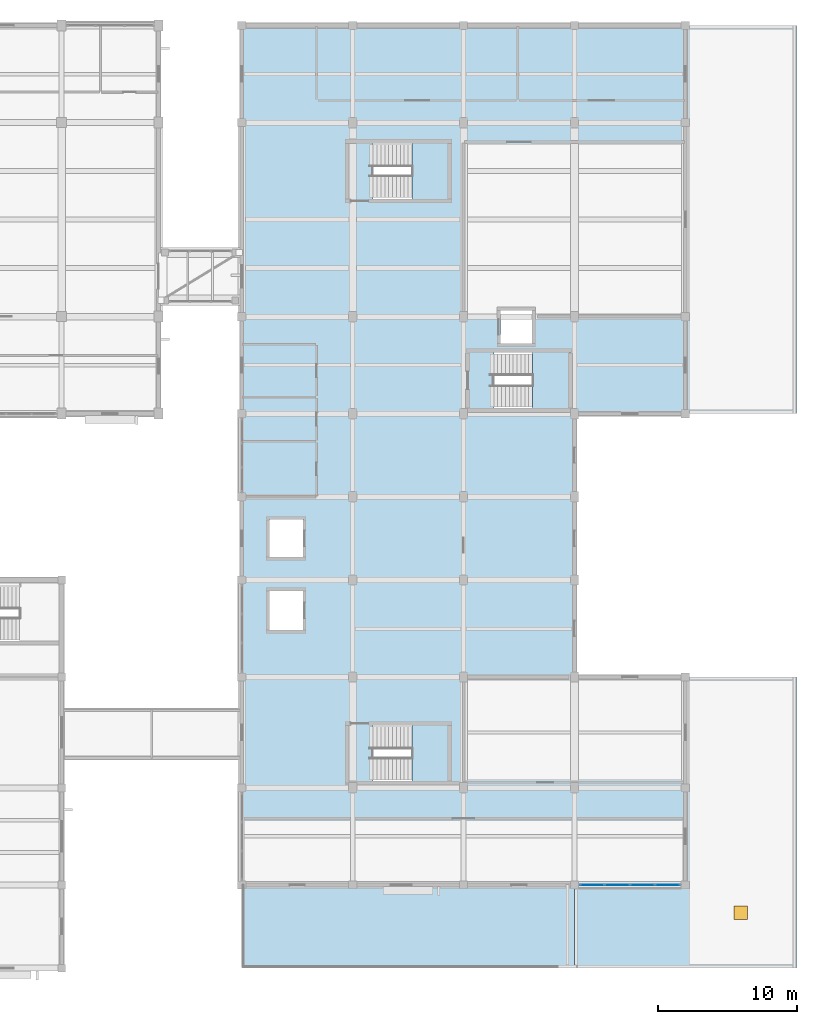
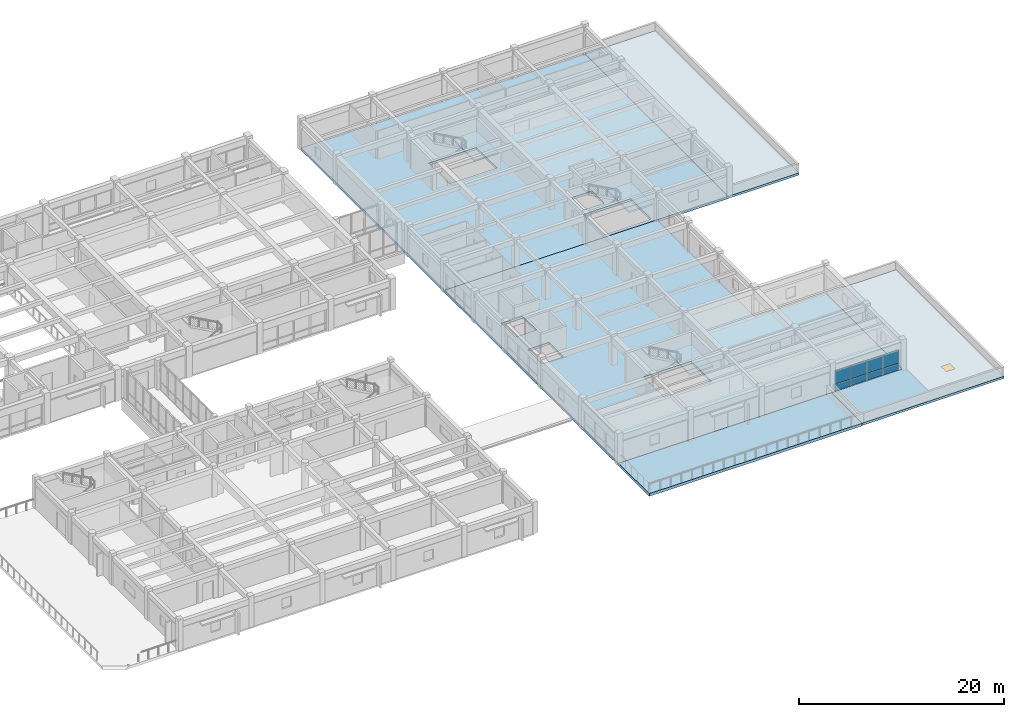
# One storey, part 22 of 42: 8 plates, 8 slabs, 1 door, 1 opening, 4 elements without a shape of their own.
"""IFC4 building model written with IfcOpenShell, lengths in metres."""

from ifc_helpers import new_model, si_unit, direction, frame, origin, origin_2d, place, context, subcontext, project, spatial, polyline, rectangle, outline, extrude, material, layer, layer_set, type_object, element, fill, aggregate, save


model = new_model("IFC4")

# Units and contexts
model_context = context("Model", 3, precision=1e-05, world=origin(), true_north=direction((0.0, 1.0)))
body_context = subcontext(model_context, "Body", "Model", "MODEL_VIEW")
ifc_project = project(units=[si_unit("LENGTHUNIT", "METRE"), si_unit("AREAUNIT", "SQUARE_METRE"), si_unit("VOLUMEUNIT", "CUBIC_METRE"), si_unit("PLANEANGLEUNIT", "RADIAN"), si_unit("MASSUNIT", "GRAM", prefix="KILO")], contexts=[model_context])

# Site, building, storey
site_placement = place(None, origin())
site = spatial("IfcSite", under=ifc_project, at=site_placement, CompositionType="ELEMENT")
building_placement = place(site_placement, origin())
building = spatial("IfcBuilding", under=site, at=building_placement, Name="Naurynzar Civic Courthouse", CompositionType="ELEMENT")
storey_placement = place(building_placement, frame((0.0, 0.0, 18.300048828125)))
storey = spatial("IfcBuildingStorey", under=building, at=storey_placement, Name="L05", CompositionType="ELEMENT", Elevation=18.300048828125)

# Curtain wall, plates
ifc_material_1 = material(Name="Aluminium 6063-T6", Category="aluminium")
ifc_layer_1 = layer(ifc_material_1, 0.159912109375)
ifc_layer_set_1 = layer_set([ifc_layer_1], Name="CW-UNIT-1800")
curtain_wall_type = type_object("IfcCurtainWallType", Name="CW-UNIT-1800", PredefinedType="NOTDEFINED", material=ifc_layer_set_1)
curtain_wall_placement = place(storey_placement, origin())
curtain_wall = element("IfcCurtainWall", 1, at=curtain_wall_placement, inside=storey, type_object=curtain_wall_type, Name="V5 unitised curtain wall 105 L05", PredefinedType="NOTDEFINED")
ifc_material_2 = material(Name="Tempered Laminated Low-E Glass", Category="glass")
ifc_layer_2 = layer(ifc_material_2, 0.035888671875)
ifc_layer_set_2 = layer_set([ifc_layer_2], Name="CWP-IGU-36")
plate_type = type_object("IfcPlateType", Name="CWP-IGU-36", PredefinedType="CURTAIN_PANEL", material=ifc_layer_set_2)
plate_1_placement = place(storey_placement, frame((160.719970703125, 10.0, 0.06982421875), z_axis=(0.0, 0.0, 1.0), x_axis=(-1.0, 0.0, 0.0)))
plate_1 = element("IfcPlate", 2, at=plate_1_placement, type_object=plate_type, Name="CW-02 panel 1.1", PredefinedType="CURTAIN_PANEL", context=body_context, shape_type="SweptSolid", body=[
    extrude(rectangle(XDim=1.719970703125, YDim=0.035888671875, at=origin_2d()), origin(), (0.0, 0.0, 1.0), 0.7451171875),
])
plate_2_placement = place(storey_placement, frame((160.719970703125, 10.0, 0.884765625), z_axis=(0.0, 0.0, 1.0), x_axis=(-1.0, 0.0, 0.0)))
plate_2 = element("IfcPlate", 3, at=plate_2_placement, type_object=plate_type, Name="CW-02 panel 1.2", PredefinedType="CURTAIN_PANEL", context=body_context, shape_type="SweptSolid", body=[
    extrude(rectangle(XDim=1.719970703125, YDim=0.035888671875, at=origin_2d()), origin(), (0.0, 0.0, 1.0), 1.594970703125),
])
plate_3_placement = place(storey_placement, frame((158.91259765625, 10.0, 0.06982421875), z_axis=(0.0, 0.0, 1.0), x_axis=(-1.0, 0.0, 0.0)))
plate_3 = element("IfcPlate", 4, at=plate_3_placement, type_object=plate_type, Name="CW-02 panel 2.1", PredefinedType="CURTAIN_PANEL", context=body_context, shape_type="SweptSolid", body=[
    extrude(rectangle(XDim=1.7548828125, YDim=0.035888671875, at=origin_2d()), origin(), (0.0, 0.0, 1.0), 0.7451171875),
])
plate_4_placement = place(storey_placement, frame((158.91259765625, 10.0, 0.884765625), z_axis=(0.0, 0.0, 1.0), x_axis=(-1.0, 0.0, 0.0)))
plate_4 = element("IfcPlate", 5, at=plate_4_placement, type_object=plate_type, Name="CW-02 panel 2.2", PredefinedType="CURTAIN_PANEL", context=body_context, shape_type="SweptSolid", body=[
    extrude(rectangle(XDim=1.7548828125, YDim=0.035888671875, at=origin_2d()), origin(), (0.0, 0.0, 1.0), 1.594970703125),
])
plate_5_placement = place(storey_placement, frame((157.08740234375, 10.0, 0.06982421875), z_axis=(0.0, 0.0, 1.0), x_axis=(-1.0, 0.0, 0.0)))
plate_5 = element("IfcPlate", 6, at=plate_5_placement, type_object=plate_type, Name="CW-02 panel 3.1", PredefinedType="CURTAIN_PANEL", context=body_context, shape_type="SweptSolid", body=[
    extrude(rectangle(XDim=1.7548828125, YDim=0.035888671875, at=origin_2d()), origin(), (0.0, 0.0, 1.0), 0.7451171875),
])
plate_6_placement = place(storey_placement, frame((157.08740234375, 10.0, 0.884765625), z_axis=(0.0, 0.0, 1.0), x_axis=(-1.0, 0.0, 0.0)))
plate_6 = element("IfcPlate", 7, at=plate_6_placement, type_object=plate_type, Name="CW-02 panel 3.2", PredefinedType="CURTAIN_PANEL", context=body_context, shape_type="SweptSolid", body=[
    extrude(rectangle(XDim=1.7548828125, YDim=0.035888671875, at=origin_2d()), origin(), (0.0, 0.0, 1.0), 1.594970703125),
])
plate_7_placement = place(storey_placement, frame((155.280029296875, 10.0, 0.06982421875), z_axis=(0.0, 0.0, 1.0), x_axis=(-1.0, 0.0, 0.0)))
plate_7 = element("IfcPlate", 8, at=plate_7_placement, type_object=plate_type, Name="CW-02 panel 4.1", PredefinedType="CURTAIN_PANEL", context=body_context, shape_type="SweptSolid", body=[
    extrude(rectangle(XDim=1.719970703125, YDim=0.035888671875, at=origin_2d()), origin(), (0.0, 0.0, 1.0), 0.7451171875),
])
plate_8_placement = place(storey_placement, frame((155.280029296875, 10.0, 0.884765625), z_axis=(0.0, 0.0, 1.0), x_axis=(-1.0, 0.0, 0.0)))
plate_8 = element("IfcPlate", 9, at=plate_8_placement, type_object=plate_type, Name="CW-02 panel 4.2", PredefinedType="CURTAIN_PANEL", context=body_context, shape_type="SweptSolid", body=[
    extrude(rectangle(XDim=1.719970703125, YDim=0.035888671875, at=origin_2d()), origin(), (0.0, 0.0, 1.0), 1.594970703125),
])
aggregate(curtain_wall, [plate_1, plate_2, plate_3, plate_4, plate_5, plate_6, plate_7, plate_8])

# Slab
ifc_material_3 = material(Name="Concrete C40/50", Category="concrete")
ifc_layer_3 = layer(ifc_material_3, 0.27001953125)
ifc_layer_set_3 = layer_set([ifc_layer_3], Name="ROOF-FLAT-270")
slab_type_1 = type_object("IfcSlabType", Name="ROOF-FLAT-270", PredefinedType="ROOF", material=ifc_layer_set_3)
slab_1_placement = place(storey_placement, frame((0.0, 0.0, -0.27001953125)))
element("IfcSlab", 10, at=slab_1_placement, inside=storey, type_object=slab_type_1, Name="V5 L05 east wing lower roof slab", PredefinedType="ROOF", context=body_context, shape_type="SweptSolid", body=[
    extrude(outline(polyline([(162.0, 44.0), (170.0, 44.0), (170.0, 72.0), (162.0, 72.0), (162.0, 44.0)])), origin(), (0.0, 0.0, 1.0), 0.27001953125),
])

# Slab, opening, door
slab_2_placement = place(storey_placement, frame((0.0, 0.0, -0.27001953125)))
slab_2 = element("IfcSlab", 11, at=slab_2_placement, inside=storey, type_object=slab_type_1, Name="V5 sally-port roof slab", PredefinedType="ROOF", context=body_context, shape_type="SweptSolid", body=[
    extrude(outline(polyline([(154.0, 4.0), (170.0, 4.0), (170.0, 25.0), (162.0, 25.0), (162.0, 10.0), (154.0, 10.0), (154.0, 4.0)])), origin(), (0.0, 0.0, 1.0), 0.27001953125),
])
opening_placement = place(slab_2_placement, frame((166.0, 8.0, 0.0)))
opening = element("IfcOpeningElement", 12, at=opening_placement, cuts=slab_2, Name="Opening RH-06", PredefinedType="OPENING", context=body_context, shape_type="SweptSolid", body=[
    extrude(rectangle(XDim=1.0, YDim=1.0, at=origin_2d()), origin(), (0.0, 0.0, 1.0), 0.27001953125),
])
ifc_material_4 = material(Name="Powder-Coated Galvanised Steel", Category="steel")
door_type = type_object("IfcDoorType", Name="HT-ROOF-1000x1000", OperationType="SINGLE_SWING_LEFT", PredefinedType="TRAPDOOR", material=ifc_material_4)
door_placement = place(opening_placement, frame((0.0, 0.0, 0.219970703125)))
door = element("IfcDoor", 13, at=door_placement, inside=storey, type_object=door_type, Name="Roof maintenance access hatch RH-06", OperationType="SINGLE_SWING_LEFT", OverallHeight=1.0, OverallWidth=1.0, PredefinedType="TRAPDOOR", context=body_context, shape_type="SweptSolid", body=[
    extrude(rectangle(XDim=1.0, YDim=1.0, at=origin_2d()), origin(), (0.0, 0.0, 1.0), 0.050048828125),
])
fill(opening, door)

# Stair, slab
ifc_material_5 = material(Name="Concrete C35/45", Category="concrete")
stair_type_1 = type_object("IfcStairType", Name="STAIR-CORE-1600", PredefinedType="TWO_STRAIGHT_RUN_STAIR", material=ifc_material_5)
stair_1_placement = place(storey_placement, origin())
stair_1 = element("IfcStair", 14, at=stair_1_placement, inside=storey, type_object=stair_type_1, Name="Enclosed escape stair ST-V5A L05", PredefinedType="TWO_STRAIGHT_RUN_STAIR")
ifc_material_6 = material(Name="Concrete C35/45", Category="concrete")
ifc_layer_4 = layer(ifc_material_6, 0.199951171875)
ifc_layer_set_4 = layer_set([ifc_layer_4], Name="SLB-LAND-200")
slab_type_2 = type_object("IfcSlabType", Name="SLB-LAND-200", PredefinedType="LANDING", material=ifc_layer_set_4)
slab_3_placement = place(storey_placement, frame((0.0, 0.0, 1.675048828125)))
slab_3 = element("IfcSlab", 15, at=slab_3_placement, type_object=slab_type_2, Name="ST-V5A-L05 landing 1", PredefinedType="LANDING", context=body_context, shape_type="SweptSolid", body=[
    extrude(outline(polyline([(142.280029296875, 17.3798828125), (144.969970703125, 17.3798828125), (144.969970703125, 21.6201171875), (142.280029296875, 21.6201171875), (142.280029296875, 17.3798828125)])), origin(), (0.0, 0.0, 1.0), 0.199951171875),
])
aggregate(stair_1, [slab_3])

stair_2_placement = place(storey_placement, origin())
stair_2 = element("IfcStair", 16, at=stair_2_placement, inside=storey, type_object=stair_type_1, Name="Enclosed escape stair ST-V5B L05", PredefinedType="TWO_STRAIGHT_RUN_STAIR")
slab_4_placement = place(storey_placement, frame((0.0, 0.0, 1.675048828125)))
slab_4 = element("IfcSlab", 17, at=slab_4_placement, type_object=slab_type_2, Name="ST-V5B-L05 landing 1", PredefinedType="LANDING", context=body_context, shape_type="SweptSolid", body=[
    extrude(outline(polyline([(142.280029296875, 59.3798828125), (144.969970703125, 59.3798828125), (144.969970703125, 63.6201171875), (142.280029296875, 63.6201171875), (142.280029296875, 59.3798828125)])), origin(), (0.0, 0.0, 1.0), 0.199951171875),
])
aggregate(stair_2, [slab_4])

ifc_material_7 = material(Name="Concrete C35/45", Category="concrete")
stair_type_2 = type_object("IfcStairType", Name="STAIR-CUS-1550", PredefinedType="TWO_STRAIGHT_RUN_STAIR", material=ifc_material_7)
stair_3_placement = place(storey_placement, origin())
stair_3 = element("IfcStair", 18, at=stair_3_placement, inside=storey, type_object=stair_type_2, Name="Enclosed escape stair ST-CUS L05", PredefinedType="TWO_STRAIGHT_RUN_STAIR")
slab_5_placement = place(storey_placement, frame((0.0, 0.0, 1.675048828125)))
slab_5 = element("IfcSlab", 19, at=slab_5_placement, type_object=slab_type_2, Name="ST-CUS-L05 landing 1", PredefinedType="LANDING", context=body_context, shape_type="SweptSolid", body=[
    extrude(outline(polyline([(150.97998046875, 44.280029296875), (153.669921875, 44.280029296875), (153.669921875, 48.52001953125), (150.97998046875, 48.52001953125), (150.97998046875, 44.280029296875)])), origin(), (0.0, 0.0, 1.0), 0.199951171875),
])
aggregate(stair_3, [slab_5])

# Slabs
ifc_material_8 = material(Name="Concrete C35/45", Category="concrete")
ifc_layer_5 = layer(ifc_material_8, 0.280029296875)
ifc_layer_set_5 = layer_set([ifc_layer_5], Name="SLB-PT-280")
slab_type_3 = type_object("IfcSlabType", Name="SLB-PT-280", PredefinedType="FLOOR", material=ifc_layer_set_5)
slab_6_placement = place(storey_placement, frame((0.0, 0.0, -0.280029296875)))
element("IfcSlab", 20, at=slab_6_placement, inside=storey, type_object=slab_type_3, Name="V5 floor slab L05 S", PredefinedType="FLOOR", context=body_context, shape_type="SweptSolid", body=[
    extrude(outline(polyline([(162.0, 10.0), (130.0, 10.0), (130.0, 44.0), (154.0, 44.0), (154.0, 25.0), (162.0, 25.0), (162.0, 10.0)]), holes=[polyline([(139.47998046875, 17.5), (144.85009765625, 17.5), (144.85009765625, 21.5), (139.47998046875, 21.5), (139.47998046875, 17.5)]), polyline([(132.0, 33.64990234375), (134.39990234375, 33.64990234375), (134.39990234375, 36.35009765625), (132.0, 36.35009765625), (132.0, 33.64990234375)]), polyline([(132.0, 28.39990234375), (134.39990234375, 28.39990234375), (134.39990234375, 31.199951171875), (132.0, 31.199951171875), (132.0, 28.39990234375)])]), origin(), (0.0, 0.0, 1.0), 0.280029296875),
])
slab_7_placement = place(storey_placement, frame((0.0, 0.0, -0.280029296875)))
element("IfcSlab", 21, at=slab_7_placement, inside=storey, type_object=slab_type_3, Name="V5 floor slab L05 N", PredefinedType="FLOOR", context=body_context, shape_type="SweptSolid", body=[
    extrude(outline(polyline([(162.0, 44.0), (162.0, 72.0), (130.0, 72.0), (130.0, 44.0), (162.0, 44.0)]), holes=[polyline([(139.47998046875, 59.5), (144.85009765625, 59.5), (144.85009765625, 63.5), (139.47998046875, 63.5), (139.47998046875, 59.5)]), polyline([(148.179931640625, 44.39990234375), (153.550048828125, 44.39990234375), (153.550048828125, 48.39990234375), (148.179931640625, 48.39990234375), (148.179931640625, 44.39990234375)]), polyline([(148.64990234375, 49.050048828125), (150.949951171875, 49.050048828125), (150.949951171875, 51.449951171875), (148.64990234375, 51.449951171875), (148.64990234375, 49.050048828125)])]), origin(), (0.0, 0.0, 1.0), 0.280029296875),
])
ifc_material_9 = material(Name="Concrete C35/45", Category="concrete")
ifc_layer_6 = layer(ifc_material_9, 0.320068359375)
ifc_layer_set_6 = layer_set([ifc_layer_6], Name="SLB-TERR-320")
slab_type_4 = type_object("IfcSlabType", Name="SLB-TERR-320", PredefinedType="FLOOR", material=ifc_layer_set_6)
slab_8_placement = place(storey_placement, frame((0.0, 0.0, -0.320068359375)))
element("IfcSlab", 22, at=slab_8_placement, inside=storey, type_object=slab_type_4, Name="Planted roof garden deck RG-V5-L05", PredefinedType="FLOOR", context=body_context, shape_type="SweptSolid", body=[
    extrude(outline(polyline([(130.0, 4.0), (154.0, 4.0), (154.0, 10.0), (130.0, 10.0), (130.0, 4.0)])), origin(), (0.0, 0.0, 1.0), 0.320068359375),
])

save(model, "model.ifc")
